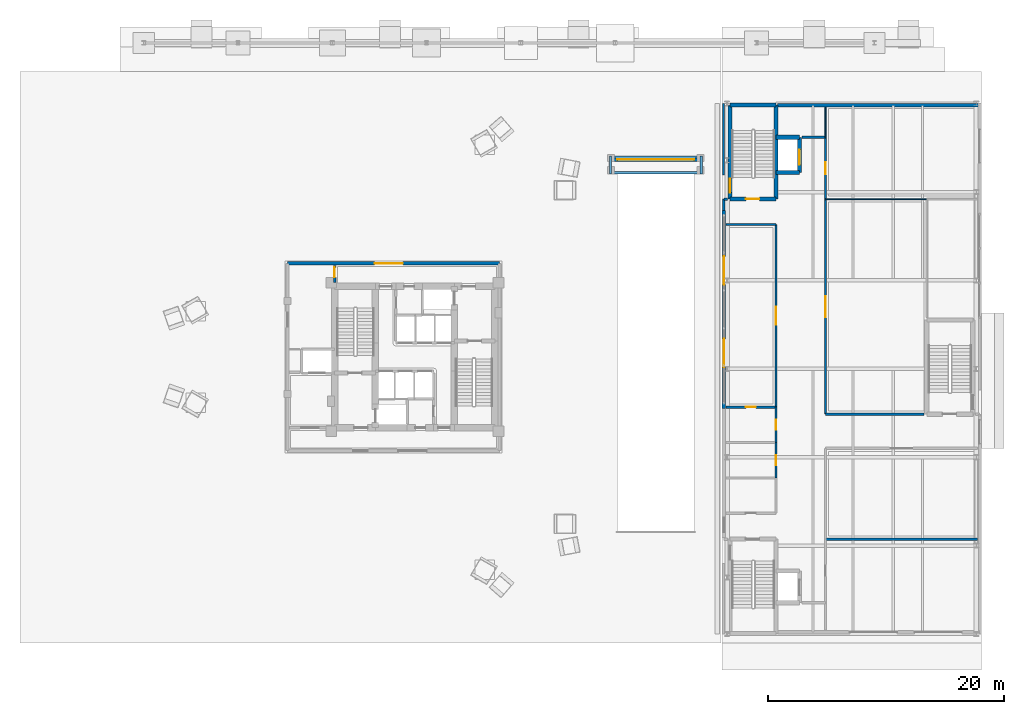
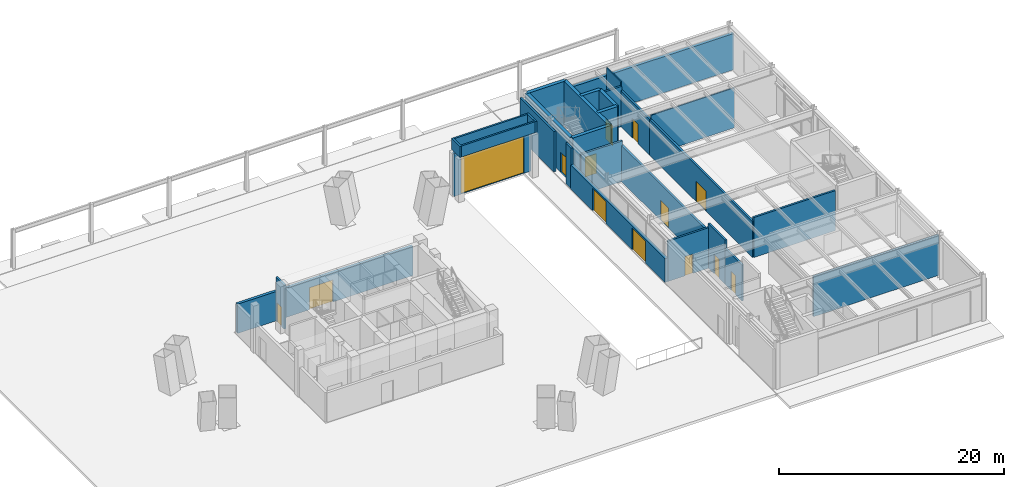
# One storey, part 15 of 21: 31 walls, 14 doors, 14 openings.
"""IFC4 building model written with IfcOpenShell, lengths in metres."""

from ifc_helpers import new_model, si_unit, direction, frame, frame_2d, origin, place, context, subcontext, project, spatial, rectangle, extrude, material, layer, layer_set, type_object, element, fill, save


model = new_model("IFC4")

# Units and contexts
model_context = context("Model", 3, precision=1e-05, world=origin(), true_north=direction((0.0, 1.0)))
body_context = subcontext(model_context, "Body", "Model", "MODEL_VIEW")
ifc_project = project(units=[si_unit("LENGTHUNIT", "METRE"), si_unit("AREAUNIT", "SQUARE_METRE"), si_unit("VOLUMEUNIT", "CUBIC_METRE"), si_unit("PLANEANGLEUNIT", "RADIAN"), si_unit("MASSUNIT", "GRAM", prefix="KILO")], contexts=[model_context])

# Site, building, storey
site_placement = place(None, origin())
site = spatial("IfcSite", under=ifc_project, at=site_placement, CompositionType="ELEMENT")
building_placement = place(site_placement, origin())
building = spatial("IfcBuilding", under=site, at=building_placement, Name="Mersakhor Tower and Convention Hall", CompositionType="ELEMENT")
storey_placement = place(building_placement, origin())
storey = spatial("IfcBuildingStorey", under=building, at=storey_placement, Name="L00", CompositionType="ELEMENT", Elevation=0.0)

# Wall, opening, door
ifc_material_1 = material(Name="Precast concrete C45/55", Category="concrete")
ifc_layer_1 = layer(ifc_material_1, 0.27490234375)
ifc_layer_set_1 = layer_set([ifc_layer_1], Name="Precast concrete C45/55")
wall_type_1 = type_object("IfcWallType", Name="WL-EXT-275", PredefinedType="SOLIDWALL", material=ifc_layer_set_1)
wall_1_placement = place(storey_placement, frame((18.199951171875, 34.699951171875, 0.0), z_axis=(0.0, 0.0, 1.0), x_axis=(1.0, 0.0, 0.0)))
wall_1 = element("IfcWall", 1, at=wall_1_placement, inside=storey, type_object=wall_type_1, Name="Tower Ground Lobby Exterior Wall N", PredefinedType="SOLIDWALL", context=body_context, shape_type="SweptSolid", body=[
    extrude(rectangle(XDim=18.0, YDim=0.27490234375, at=frame_2d((9.0, 0.0))), origin(), (0.0, 0.0, 1.0), 3.18505859375),
])
opening_1_placement = place(wall_1_placement, frame((7.39990234375, 0.0, 0.0)))
opening_1 = element("IfcOpeningElement", 2, at=opening_1_placement, cuts=wall_1, Name="Opening ED-02", PredefinedType="OPENING", context=body_context, shape_type="SweptSolid", body=[
    extrude(rectangle(XDim=2.39990234375, YDim=2.39990234375, at=frame_2d((1.199951171875, 1.199951171875))), frame((0.0, 0.1474609375, 0.0), z_axis=(0.0, -1.0, 0.0), x_axis=(1.0, 0.0, 0.0)), (0.0, 0.0, 1.0), 0.294921875),
])
ifc_material_2 = material(Name="Thermally broken dark aluminium and safety glass", Category="aluminium")
door_type_1 = type_object("IfcDoorType", Name="DR-EXT-DBL-240x240", OperationType="NOTDEFINED", PredefinedType="DOOR", material=ifc_material_2)
door_1_placement = place(opening_1_placement, origin())
door_1 = element("IfcDoor", 3, at=door_1_placement, inside=storey, type_object=door_type_1, Name="Tower North Plaza Final Exit and Entrance Door", OperationType="DOUBLE_DOOR_SINGLE_SWING", OverallHeight=2.39990234375, OverallWidth=2.39990234375, PredefinedType="DOOR", context=body_context, shape_type="SweptSolid", body=[
    extrude(rectangle(XDim=2.39990234375, YDim=2.39990234375, at=frame_2d((1.199951171875, 1.199951171875))), frame((0.0, 0.02490234375, 0.0), z_axis=(0.0, -1.0, 0.0), x_axis=(1.0, 0.0, 0.0)), (0.0, 0.0, 1.0), 0.050048828125),
])
fill(opening_1, door_1)

ifc_material_3 = material(Name="Precast concrete C45/55", Category="concrete")
ifc_layer_2 = layer(ifc_material_3, 0.300048828125)
ifc_layer_set_2 = layer_set([ifc_layer_2], Name="Precast concrete C45/55")
wall_type_2 = type_object("IfcWallType", Name="WL-EXT-300", PredefinedType="SOLIDWALL", material=ifc_layer_set_2)
wall_2_placement = place(storey_placement, frame((45.5, 43.5, 0.0), z_axis=(0.0, 0.0, 1.0), x_axis=(1.0, 0.0, 0.0)))
wall_2 = element("IfcWall", 4, at=wall_2_placement, inside=storey, type_object=wall_type_2, Name="Ground Car Park Ramp Portal Wall", PredefinedType="SOLIDWALL", context=body_context, shape_type="SweptSolid", body=[
    extrude(rectangle(XDim=7.89990234375, YDim=0.300048828125, at=frame_2d((3.949951171875, 0.0))), origin(), (0.0, 0.0, 1.0), 4.64990234375),
])
opening_2_placement = place(wall_2_placement, frame((0.699951171875, 0.0, 0.0)))
opening_2 = element("IfcOpeningElement", 5, at=opening_2_placement, cuts=wall_2, Name="Opening GATE-01", PredefinedType="OPENING", context=body_context, shape_type="SweptSolid", body=[
    extrude(rectangle(XDim=6.5, YDim=4.199951171875, at=frame_2d((3.25, 2.10009765625))), frame((0.0, 0.159912109375, 0.0), z_axis=(0.0, -1.0, 0.0), x_axis=(1.0, 0.0, 0.0)), (0.0, 0.0, 1.0), 0.320068359375),
])
ifc_material_4 = material(Name="Thermally broken dark aluminium and safety glass", Category="aluminium")
door_type_2 = type_object("IfcDoorType", Name="DR-GATE-VEH-650x420", OperationType="NOTDEFINED", PredefinedType="GATE", material=ifc_material_4)
door_2_placement = place(opening_2_placement, origin())
door_2 = element("IfcDoor", 6, at=door_2_placement, inside=storey, type_object=door_type_2, Name="Basement Car Park Vehicle Ramp Shutter Gate GATE-01", OperationType="ROLLINGUP", OverallHeight=4.199951171875, OverallWidth=6.5, PredefinedType="GATE", context=body_context, shape_type="SweptSolid", body=[
    extrude(rectangle(XDim=6.5, YDim=4.199951171875, at=frame_2d((3.25, 2.10009765625))), frame((0.0, 0.02490234375, 0.0), z_axis=(0.0, -1.0, 0.0), x_axis=(1.0, 0.0, 0.0)), (0.0, 0.0, 1.0), 0.050048828125),
])
fill(opening_2, door_2)

# Wall
wall_3_placement = place(storey_placement, frame((59.800048828125, 48.10009765625, 0.0), z_axis=(0.0, 0.0, 1.0), x_axis=(1.0, 0.0, 0.0)))
element("IfcWall", 7, at=wall_3_placement, inside=storey, type_object=wall_type_2, Name="Convention L00 Precast Facade Wall N1", PredefinedType="SOLIDWALL", context=body_context, shape_type="SweptSolid", body=[
    extrude(rectangle(XDim=17.125, YDim=0.300048828125, at=frame_2d((8.5625, 0.0))), origin(), (0.0, 0.0, 1.0), 3.9140625),
])

# Wall, openings, doors
wall_4_placement = place(storey_placement, frame((55.22509765625, 22.39990234375, 0.0), z_axis=(0.0, 0.0, 1.0), x_axis=(0.0, 1.0, 0.0)))
wall_4 = element("IfcWall", 8, at=wall_4_placement, inside=storey, type_object=wall_type_2, Name="Convention Ground Foyer Entrance Portal Wall", PredefinedType="SOLIDWALL", context=body_context, shape_type="SweptSolid", body=[
    extrude(rectangle(XDim=16.800048828125, YDim=0.300048828125, at=frame_2d((8.39990234375, 0.0))), origin(), (0.0, 0.0, 1.0), 2.60009765625),
])
opening_3_placement = place(wall_4_placement, frame((3.5, 0.0, 0.0)))
opening_3 = element("IfcOpeningElement", 9, at=opening_3_placement, cuts=wall_4, Name="Opening ED-02", PredefinedType="OPENING", context=body_context, shape_type="SweptSolid", body=[
    extrude(rectangle(XDim=2.39990234375, YDim=2.39990234375, at=frame_2d((1.199951171875, 1.199951171875))), frame((0.0, 0.159912109375, 0.0), z_axis=(0.0, -1.0, 0.0), x_axis=(1.0, 0.0, 0.0)), (0.0, 0.0, 1.0), 0.320068359375),
])
opening_4_placement = place(wall_4_placement, frame((10.5, 0.0, 0.0)))
opening_4 = element("IfcOpeningElement", 10, at=opening_4_placement, cuts=wall_4, Name="Opening ED-02", PredefinedType="OPENING", context=body_context, shape_type="SweptSolid", body=[
    extrude(rectangle(XDim=2.39990234375, YDim=2.39990234375, at=frame_2d((1.199951171875, 1.199951171875))), frame((0.0, 0.159912109375, 0.0), z_axis=(0.0, -1.0, 0.0), x_axis=(1.0, 0.0, 0.0)), (0.0, 0.0, 1.0), 0.320068359375),
])
door_3_placement = place(opening_3_placement, origin())
door_3 = element("IfcDoor", 11, at=door_3_placement, inside=storey, type_object=door_type_1, Name="Convention Grand Foyer Entrance Door 1", OperationType="DOUBLE_DOOR_SINGLE_SWING", OverallHeight=2.39990234375, OverallWidth=2.39990234375, PredefinedType="DOOR", context=body_context, shape_type="SweptSolid", body=[
    extrude(rectangle(XDim=2.39990234375, YDim=2.39990234375, at=frame_2d((1.199951171875, 1.199951171875))), frame((0.0, 0.02490234375, 0.0), z_axis=(0.0, -1.0, 0.0), x_axis=(1.0, 0.0, 0.0)), (0.0, 0.0, 1.0), 0.050048828125),
])
fill(opening_3, door_3)
door_4_placement = place(opening_4_placement, origin())
door_4 = element("IfcDoor", 12, at=door_4_placement, inside=storey, type_object=door_type_1, Name="Convention Grand Foyer Entrance Door 2", OperationType="DOUBLE_DOOR_SINGLE_SWING", OverallHeight=2.39990234375, OverallWidth=2.39990234375, PredefinedType="DOOR", context=body_context, shape_type="SweptSolid", body=[
    extrude(rectangle(XDim=2.39990234375, YDim=2.39990234375, at=frame_2d((1.199951171875, 1.199951171875))), frame((0.0, 0.02490234375, 0.0), z_axis=(0.0, -1.0, 0.0), x_axis=(1.0, 0.0, 0.0)), (0.0, 0.0, 1.0), 0.050048828125),
])
fill(opening_4, door_4)

# Walls
ifc_material_5 = material(Name="Precast concrete C40/50", Category="concrete")
ifc_layer_3 = layer(ifc_material_5, 0.175048828125)
ifc_layer_set_3 = layer_set([ifc_layer_3], Name="Precast concrete C40/50")
wall_type_3 = type_object("IfcWallType", Name="WL-PAR-175", PredefinedType="PARAPET", material=ifc_layer_set_3)
wall_5_placement = place(storey_placement, frame((45.590087890625, 42.300048828125, 4.860107421875), z_axis=(0.0, 0.0, 1.0), x_axis=(0.0, 1.0, 0.0)))
element("IfcWall", 13, at=wall_5_placement, inside=storey, type_object=wall_type_3, Name="Vehicle Ramp Portal Roof Parapet W", PredefinedType="PARAPET", context=body_context, shape_type="SweptSolid", body=[
    extrude(rectangle(XDim=1.5, YDim=0.175048828125, at=frame_2d((0.75, 0.0))), origin(), (0.0, 0.0, 1.0), 1.199951171875),
])
wall_6_placement = place(storey_placement, frame((45.590087890625, 43.7099609375, 4.860107421875), z_axis=(0.0, 0.0, 1.0), x_axis=(1.0, 0.0, 0.0)))
element("IfcWall", 14, at=wall_6_placement, inside=storey, type_object=wall_type_3, Name="Vehicle Ramp Portal Roof Parapet N", PredefinedType="PARAPET", context=body_context, shape_type="SweptSolid", body=[
    extrude(rectangle(XDim=7.719970703125, YDim=0.175048828125, at=frame_2d((3.85986328125, 0.0))), origin(), (0.0, 0.0, 1.0), 1.199951171875),
])
wall_7_placement = place(storey_placement, frame((53.31005859375, 43.800048828125, 4.860107421875), z_axis=(0.0, 0.0, 1.0), x_axis=(0.0, -1.0, 0.0)))
element("IfcWall", 15, at=wall_7_placement, inside=storey, type_object=wall_type_3, Name="Vehicle Ramp Portal Roof Parapet E", PredefinedType="PARAPET", context=body_context, shape_type="SweptSolid", body=[
    extrude(rectangle(XDim=1.5, YDim=0.175048828125, at=frame_2d((0.75, 0.0))), origin(), (0.0, 0.0, 1.0), 1.199951171875),
])
wall_8_placement = place(storey_placement, frame((53.31005859375, 42.389892578125, 4.860107421875), z_axis=(0.0, 0.0, 1.0), x_axis=(-1.0, 0.0, 0.0)))
element("IfcWall", 16, at=wall_8_placement, inside=storey, type_object=wall_type_3, Name="Vehicle Ramp Portal Roof Parapet S", PredefinedType="PARAPET", context=body_context, shape_type="SweptSolid", body=[
    extrude(rectangle(XDim=7.719970703125, YDim=0.175048828125, at=frame_2d((3.85986328125, 0.0))), origin(), (0.0, 0.0, 1.0), 1.199951171875),
])
ifc_material_6 = material(Name="Precast concrete C40/50", Category="concrete")
ifc_layer_4 = layer(ifc_material_6, 0.199951171875)
ifc_layer_set_4 = layer_set([ifc_layer_4], Name="Precast concrete C40/50")
wall_type_4 = type_object("IfcWallType", Name="WL-PAR-200", PredefinedType="PARAPET", material=ifc_layer_set_4)
wall_9_placement = place(storey_placement, frame((55.195068359375, 42.199951171875, 0.0), z_axis=(0.0, 0.0, 1.0), x_axis=(0.0, 1.0, 0.0)))
element("IfcWall", 17, at=wall_9_placement, inside=storey, type_object=wall_type_4, Name="Convention L00 Stair Core Facade Cladding WC2", PredefinedType="PARAPET", context=body_context, shape_type="SweptSolid", body=[
    extrude(rectangle(XDim=6.050048828125, YDim=0.199951171875, at=frame_2d((3.02490234375, 0.0))), origin(), (0.0, 0.0, 1.0), 4.389892578125),
])
ifc_material_7 = material(Name="Lightweight gypsum partition", Category="other")
ifc_layer_5 = layer(ifc_material_7, 0.10009765625)
ifc_layer_set_5 = layer_set([ifc_layer_5], Name="Lightweight gypsum partition")
wall_type_5 = type_object("IfcWallType", Name="WL-PRT-100", PredefinedType="PARTITIONING", material=ifc_layer_set_5)
wall_10_placement = place(storey_placement, frame((63.85009765625, 40.14990234375, 0.0), z_axis=(0.0, 0.0, 1.0), x_axis=(1.0, 0.0, 0.0)))
element("IfcWall", 18, at=wall_10_placement, inside=storey, type_object=wall_type_5, Name="L00 Interior Partition Wall P-044", PredefinedType="PARTITIONING", context=body_context, shape_type="SweptSolid", body=[
    extrude(rectangle(XDim=8.599853515625, YDim=0.10009765625, at=frame_2d((4.2998046875, 0.0))), origin(), (0.0, 0.0, 1.0), 4.355712890625),
])
wall_11_placement = place(storey_placement, frame((63.85009765625, 45.39990234375, 0.0), z_axis=(0.0, 0.0, 1.0), x_axis=(0.0, 1.0, 0.0)))
element("IfcWall", 19, at=wall_11_placement, inside=storey, type_object=wall_type_5, Name="L00 Interior Partition Wall P-048", PredefinedType="PARTITIONING", context=body_context, shape_type="SweptSolid", body=[
    extrude(rectangle(XDim=2.526123046875, YDim=0.10009765625, at=frame_2d((1.26318359375, 0.0))), origin(), (0.0, 0.0, 1.0), 4.800048828125),
])

# Wall, opening, door
ifc_material_8 = material(Name="Acoustic concrete blockwork and gypsum board", Category="masonry")
ifc_layer_6 = layer(ifc_material_8, 0.199951171875)
ifc_layer_set_6 = layer_set([ifc_layer_6], Name="Acoustic concrete blockwork and gypsum board")
wall_type_6 = type_object("IfcWallType", Name="WL-PRT-200", PredefinedType="PARTITIONING", material=ifc_layer_set_6)
wall_12_placement = place(storey_placement, frame((59.64990234375, 16.5, 0.0), z_axis=(0.0, 0.0, 1.0), x_axis=(0.0, 1.0, 0.0)))
wall_12 = element("IfcWall", 20, at=wall_12_placement, inside=storey, type_object=wall_type_6, Name="L00 Interior Partition Wall P-022", PredefinedType="PARTITIONING", context=body_context, shape_type="SweptSolid", body=[
    extrude(rectangle(XDim=3.0, YDim=0.199951171875, at=frame_2d((1.5, 0.0))), origin(), (0.0, 0.0, 1.0), 3.9140625),
])
opening_5_placement = place(wall_12_placement, frame((1.074951171875, 0.0, 0.0)))
opening_5 = element("IfcOpeningElement", 21, at=opening_5_placement, cuts=wall_12, Name="Opening SVD-01", PredefinedType="OPENING", context=body_context, shape_type="SweptSolid", body=[
    extrude(rectangle(XDim=0.85009765625, YDim=2.10009765625, at=frame_2d((0.425048828125, 1.050048828125))), frame((0.0, 0.10986328125, 0.0), z_axis=(0.0, -1.0, 0.0), x_axis=(1.0, 0.0, 0.0)), (0.0, 0.0, 1.0), 0.219970703125),
])
ifc_material_9 = material(Name="Fire-rated hardwood leaf and painted steel frame", Category="steel")
door_type_3 = type_object("IfcDoorType", Name="DR-INT-SVC-085x210", OperationType="NOTDEFINED", PredefinedType="DOOR", material=ifc_material_9)
door_5_placement = place(opening_5_placement, origin())
door_5 = element("IfcDoor", 22, at=door_5_placement, inside=storey, type_object=door_type_3, Name="L00 Convention Hall Concourse Corridor to Convention Public Female Toilets Door", OperationType="SINGLE_SWING_LEFT", OverallHeight=2.10009765625, OverallWidth=0.85009765625, PredefinedType="DOOR", context=body_context, shape_type="SweptSolid", body=[
    extrude(rectangle(XDim=0.85009765625, YDim=2.10009765625, at=frame_2d((0.425048828125, 1.050048828125))), frame((0.0, 0.02490234375, 0.0), z_axis=(0.0, -1.0, 0.0), x_axis=(1.0, 0.0, 0.0)), (0.0, 0.0, 1.0), 0.050048828125),
])
fill(opening_5, door_5)

wall_13_placement = place(storey_placement, frame((59.64990234375, 19.5, 0.0), z_axis=(0.0, 0.0, 1.0), x_axis=(0.0, 1.0, 0.0)))
wall_13 = element("IfcWall", 23, at=wall_13_placement, inside=storey, type_object=wall_type_6, Name="L00 Interior Partition Wall P-023", PredefinedType="PARTITIONING", context=body_context, shape_type="SweptSolid", body=[
    extrude(rectangle(XDim=3.0, YDim=0.199951171875, at=frame_2d((1.5, 0.0))), origin(), (0.0, 0.0, 1.0), 4.800048828125),
])
opening_6_placement = place(wall_13_placement, frame((1.074951171875, 0.0, 0.0)))
opening_6 = element("IfcOpeningElement", 24, at=opening_6_placement, cuts=wall_13, Name="Opening SVD-01", PredefinedType="OPENING", context=body_context, shape_type="SweptSolid", body=[
    extrude(rectangle(XDim=0.85009765625, YDim=2.10009765625, at=frame_2d((0.425048828125, 1.050048828125))), frame((0.0, 0.10986328125, 0.0), z_axis=(0.0, -1.0, 0.0), x_axis=(1.0, 0.0, 0.0)), (0.0, 0.0, 1.0), 0.219970703125),
])
door_6_placement = place(opening_6_placement, origin())
door_6 = element("IfcDoor", 25, at=door_6_placement, inside=storey, type_object=door_type_3, Name="L00 Convention Hall Concourse Corridor to Convention Accessible Toilet WC Door", OperationType="SINGLE_SWING_RIGHT", OverallHeight=2.10009765625, OverallWidth=0.85009765625, PredefinedType="DOOR", context=body_context, shape_type="SweptSolid", body=[
    extrude(rectangle(XDim=0.85009765625, YDim=2.10009765625, at=frame_2d((0.425048828125, 1.050048828125))), frame((0.0, 0.02490234375, 0.0), z_axis=(0.0, -1.0, 0.0), x_axis=(1.0, 0.0, 0.0)), (0.0, 0.0, 1.0), 0.050048828125),
])
fill(opening_6, door_6)

wall_14_placement = place(storey_placement, frame((59.64990234375, 22.5, 0.0), z_axis=(0.0, 0.0, 1.0), x_axis=(0.0, 1.0, 0.0)))
wall_14 = element("IfcWall", 26, at=wall_14_placement, inside=storey, type_object=wall_type_6, Name="L00 Interior Partition Wall P-024", PredefinedType="PARTITIONING", context=body_context, shape_type="SweptSolid", body=[
    extrude(rectangle(XDim=15.5, YDim=0.199951171875, at=frame_2d((7.75, 0.0))), origin(), (0.0, 0.0, 1.0), 3.9140625),
])
opening_7_placement = place(wall_14_placement, frame((7.0, 0.0, 0.0)))
opening_7 = element("IfcOpeningElement", 27, at=opening_7_placement, cuts=wall_14, Name="Opening LD-LOB", PredefinedType="OPENING", context=body_context, shape_type="SweptSolid", body=[
    extrude(rectangle(XDim=1.5, YDim=2.199951171875, at=frame_2d((0.75, 1.10009765625))), frame((0.0, 0.10986328125, 0.0), z_axis=(0.0, -1.0, 0.0), x_axis=(1.0, 0.0, 0.0)), (0.0, 0.0, 1.0), 0.219970703125),
])
ifc_material_10 = material(Name="Fire-rated hardwood leaf and painted steel frame", Category="steel")
door_type_4 = type_object("IfcDoorType", Name="DR-INT-LOB-150x220", OperationType="NOTDEFINED", PredefinedType="DOOR", material=ifc_material_10)
door_7_placement = place(opening_7_placement, origin())
door_7 = element("IfcDoor", 28, at=door_7_placement, inside=storey, type_object=door_type_4, Name="L00 Convention Hall Concourse Corridor to Convention Grand Entrance Foyer Door", OperationType="DOUBLE_DOOR_SINGLE_SWING", OverallHeight=2.199951171875, OverallWidth=1.5, PredefinedType="DOOR", context=body_context, shape_type="SweptSolid", body=[
    extrude(rectangle(XDim=1.5, YDim=2.199951171875, at=frame_2d((0.75, 1.10009765625))), frame((0.0, 0.02490234375, 0.0), z_axis=(0.0, -1.0, 0.0), x_axis=(1.0, 0.0, 0.0)), (0.0, 0.0, 1.0), 0.050048828125),
])
fill(opening_7, door_7)

# Walls
wall_15_placement = place(storey_placement, frame((59.64990234375, 38.0, 0.0), z_axis=(0.0, 0.0, 1.0), x_axis=(-1.0, 0.0, 0.0)))
element("IfcWall", 29, at=wall_15_placement, inside=storey, type_object=wall_type_6, Name="L00 Interior Partition Wall P-025", PredefinedType="PARTITIONING", context=body_context, shape_type="SweptSolid", body=[
    extrude(rectangle(XDim=4.2509765625, YDim=0.199951171875, at=frame_2d((2.12548828125, 0.0))), origin(), (0.0, 0.0, 1.0), 4.389892578125),
])
wall_16_placement = place(storey_placement, frame((55.22509765625, 39.199951171875, 0.0), z_axis=(0.0, 0.0, 1.0), x_axis=(0.0, 1.0, 0.0)))
element("IfcWall", 30, at=wall_16_placement, inside=storey, type_object=wall_type_6, Name="L00 Interior Partition Wall P-026", PredefinedType="PARTITIONING", context=body_context, shape_type="SweptSolid", body=[
    extrude(rectangle(XDim=0.949951171875, YDim=0.199951171875, at=frame_2d((0.47509765625, 0.0))), origin(), (0.0, 0.0, 1.0), 4.389892578125),
])
wall_17_placement = place(storey_placement, frame((55.2548828125, 40.14990234375, 0.0), z_axis=(0.0, 0.0, 1.0), x_axis=(1.0, 0.0, 0.0)))
element("IfcWall", 31, at=wall_17_placement, inside=storey, type_object=wall_type_6, Name="L00 Interior Partition Wall P-027", PredefinedType="PARTITIONING", context=body_context, shape_type="SweptSolid", body=[
    extrude(rectangle(XDim=0.27001953125, YDim=0.199951171875, at=frame_2d((0.135009765625, 0.0))), origin(), (0.0, 0.0, 1.0), 4.389892578125),
])
wall_18_placement = place(storey_placement, frame((61.875, 45.39990234375, 0.0), z_axis=(0.0, 0.0, 1.0), x_axis=(1.0, 0.0, 0.0)))
element("IfcWall", 32, at=wall_18_placement, inside=storey, type_object=wall_type_6, Name="L00 Interior Partition Wall P-028", PredefinedType="PARTITIONING", context=body_context, shape_type="SweptSolid", body=[
    extrude(rectangle(XDim=1.97509765625, YDim=0.199951171875, at=frame_2d((0.987548828125, 0.0))), origin(), (0.0, 0.0, 1.0), 4.355712890625),
])

# Wall, opening, door
wall_19_placement = place(storey_placement, frame((63.85009765625, 45.39990234375, 0.0), z_axis=(0.0, 0.0, 1.0), x_axis=(0.0, -1.0, 0.0)))
wall_19 = element("IfcWall", 33, at=wall_19_placement, inside=storey, type_object=wall_type_6, Name="L00 Interior Partition Wall P-029", PredefinedType="PARTITIONING", context=body_context, shape_type="SweptSolid", body=[
    extrude(rectangle(XDim=5.25, YDim=0.199951171875, at=frame_2d((2.625, 0.0))), origin(), (0.0, 0.0, 1.0), 3.9140625),
])
opening_8_placement = place(wall_19_placement, frame((2.125, 0.0, 0.0)))
opening_8 = element("IfcOpeningElement", 34, at=opening_8_placement, cuts=wall_19, Name="Opening FD-01", PredefinedType="OPENING", context=body_context, shape_type="SweptSolid", body=[
    extrude(rectangle(XDim=1.0, YDim=2.14990234375, at=frame_2d((0.5, 1.074951171875))), frame((0.0, 0.10986328125, 0.0), z_axis=(0.0, -1.0, 0.0), x_axis=(1.0, 0.0, 0.0)), (0.0, 0.0, 1.0), 0.219970703125),
])
ifc_material_11 = material(Name="Fire-rated hardwood leaf and painted steel frame", Category="steel")
door_type_5 = type_object("IfcDoorType", Name="DR-INT-FLT-100x215", OperationType="NOTDEFINED", PredefinedType="DOOR", material=ifc_material_11)
door_8_placement = place(opening_8_placement, origin())
door_8 = element("IfcDoor", 35, at=door_8_placement, inside=storey, type_object=door_type_5, Name="L00 Convention Hall Concourse Corridor to Delegate Registration and Media Suite Door", OperationType="SINGLE_SWING_LEFT", OverallHeight=2.14990234375, OverallWidth=1.0, PredefinedType="DOOR", context=body_context, shape_type="SweptSolid", body=[
    extrude(rectangle(XDim=1.0, YDim=2.14990234375, at=frame_2d((0.5, 1.074951171875))), frame((0.0, 0.02490234375, 0.0), z_axis=(0.0, -1.0, 0.0), x_axis=(1.0, 0.0, 0.0)), (0.0, 0.0, 1.0), 0.050048828125),
])
fill(opening_8, door_8)

wall_20_placement = place(storey_placement, frame((63.85009765625, 40.14990234375, 0.0), z_axis=(0.0, 0.0, 1.0), x_axis=(0.0, -1.0, 0.0)))
wall_20 = element("IfcWall", 36, at=wall_20_placement, inside=storey, type_object=wall_type_6, Name="L00 Interior Partition Wall P-030", PredefinedType="PARTITIONING", context=body_context, shape_type="SweptSolid", body=[
    extrude(rectangle(XDim=18.25, YDim=0.199951171875, at=frame_2d((9.125, 0.0))), origin(), (0.0, 0.0, 1.0), 3.9140625),
])
opening_9_placement = place(wall_20_placement, frame((8.22509765625, 0.0, 0.0)))
opening_9 = element("IfcOpeningElement", 37, at=opening_9_placement, cuts=wall_20, Name="Opening HD-01", PredefinedType="OPENING", context=body_context, shape_type="SweptSolid", body=[
    extrude(rectangle(XDim=1.800048828125, YDim=2.199951171875, at=frame_2d((0.89990234375, 1.10009765625))), frame((0.0, 0.10986328125, 0.0), z_axis=(0.0, -1.0, 0.0), x_axis=(1.0, 0.0, 0.0)), (0.0, 0.0, 1.0), 0.219970703125),
])
ifc_material_12 = material(Name="Fire-rated hardwood leaf and painted steel frame", Category="steel")
door_type_6 = type_object("IfcDoorType", Name="DR-INT-HALL-180x220", OperationType="NOTDEFINED", PredefinedType="DOOR", material=ifc_material_12)
door_9_placement = place(opening_9_placement, origin())
door_9 = element("IfcDoor", 38, at=door_9_placement, inside=storey, type_object=door_type_6, Name="L00 Convention Hall Concourse Corridor to Main Column-Free Exhibition Hall Door", OperationType="DOUBLE_DOOR_SINGLE_SWING", OverallHeight=2.199951171875, OverallWidth=1.800048828125, PredefinedType="DOOR", context=body_context, shape_type="SweptSolid", body=[
    extrude(rectangle(XDim=1.800048828125, YDim=2.199951171875, at=frame_2d((0.89990234375, 1.10009765625))), frame((0.0, 0.02490234375, 0.0), z_axis=(0.0, -1.0, 0.0), x_axis=(1.0, 0.0, 0.0)), (0.0, 0.0, 1.0), 0.050048828125),
])
fill(opening_9, door_9)

# Wall
wall_21_placement = place(storey_placement, frame((63.85009765625, 21.89990234375, 0.0), z_axis=(0.0, 0.0, 1.0), x_axis=(1.0, 0.0, 0.0)))
element("IfcWall", 39, at=wall_21_placement, inside=storey, type_object=wall_type_6, Name="L00 Interior Partition Wall P-031", PredefinedType="PARTITIONING", context=body_context, shape_type="SweptSolid", body=[
    extrude(rectangle(XDim=8.375, YDim=0.199951171875, at=frame_2d((4.1875, 0.0))), origin(), (0.0, 0.0, 1.0), 4.355712890625),
])

# Wall, opening, door
wall_22_placement = place(storey_placement, frame((22.199951171875, 33.074951171875, 0.0), z_axis=(0.0, 0.0, 1.0), x_axis=(0.0, 1.0, 0.0)))
wall_22 = element("IfcWall", 40, at=wall_22_placement, inside=storey, type_object=wall_type_6, Name="L00 Interior Partition Wall P-038", PredefinedType="PARTITIONING", context=body_context, shape_type="SweptSolid", body=[
    extrude(rectangle(XDim=1.463623046875, YDim=0.199951171875, at=frame_2d((0.73193359375, 0.0))), origin(), (0.0, 0.0, 1.0), 4.800048828125),
])
opening_10_placement = place(wall_22_placement, frame((0.44287109375, 0.0, 0.0)))
opening_10 = element("IfcOpeningElement", 41, at=opening_10_placement, cuts=wall_22, Name="Opening SVD-01", PredefinedType="OPENING", context=body_context, shape_type="SweptSolid", body=[
    extrude(rectangle(XDim=0.85009765625, YDim=2.10009765625, at=frame_2d((0.425048828125, 1.050048828125))), frame((0.0, 0.10986328125, 0.0), z_axis=(0.0, -1.0, 0.0), x_axis=(1.0, 0.0, 0.0)), (0.0, 0.0, 1.0), 0.219970703125),
])
door_10_placement = place(opening_10_placement, origin())
door_10 = element("IfcDoor", 42, at=door_10_placement, inside=storey, type_object=door_type_3, Name="L00 Tower North Plaza Entrance Vestibule to Fire Command and Control Room Door", OperationType="SINGLE_SWING_LEFT", OverallHeight=2.10009765625, OverallWidth=0.85009765625, PredefinedType="DOOR", context=body_context, shape_type="SweptSolid", body=[
    extrude(rectangle(XDim=0.85009765625, YDim=2.10009765625, at=frame_2d((0.425048828125, 1.050048828125))), frame((0.0, 0.02490234375, 0.0), z_axis=(0.0, -1.0, 0.0), x_axis=(1.0, 0.0, 0.0)), (0.0, 0.0, 1.0), 0.050048828125),
])
fill(opening_10, door_10)

wall_23_placement = place(storey_placement, frame((55.39892578125, 22.5, 0.0), z_axis=(0.0, 0.0, 1.0), x_axis=(1.0, 0.0, 0.0)))
wall_23 = element("IfcWall", 43, at=wall_23_placement, inside=storey, type_object=wall_type_6, Name="L00 Interior Partition Wall P-043", PredefinedType="PARTITIONING", context=body_context, shape_type="SweptSolid", body=[
    extrude(rectangle(XDim=4.2509765625, YDim=0.199951171875, at=frame_2d((2.12548828125, 0.0))), origin(), (0.0, 0.0, 1.0), 4.389892578125),
])
opening_11_placement = place(wall_23_placement, frame((1.700439453125, 0.0, 0.0)))
opening_11 = element("IfcOpeningElement", 44, at=opening_11_placement, cuts=wall_23, Name="Opening SVD-01", PredefinedType="OPENING", context=body_context, shape_type="SweptSolid", body=[
    extrude(rectangle(XDim=0.85009765625, YDim=2.10009765625, at=frame_2d((0.425048828125, 1.050048828125))), frame((0.0, 0.10986328125, 0.0), z_axis=(0.0, -1.0, 0.0), x_axis=(1.0, 0.0, 0.0)), (0.0, 0.0, 1.0), 0.219970703125),
])
door_11_placement = place(opening_11_placement, origin())
door_11 = element("IfcDoor", 45, at=door_11_placement, inside=storey, type_object=door_type_3, Name="L00 Convention Accessible Toilet WC to Convention Grand Entrance Foyer Door", OperationType="SINGLE_SWING_LEFT", OverallHeight=2.10009765625, OverallWidth=0.85009765625, PredefinedType="DOOR", context=body_context, shape_type="SweptSolid", body=[
    extrude(rectangle(XDim=0.85009765625, YDim=2.10009765625, at=frame_2d((0.425048828125, 1.050048828125))), frame((0.0, 0.02490234375, 0.0), z_axis=(0.0, -1.0, 0.0), x_axis=(1.0, 0.0, 0.0)), (0.0, 0.0, 1.0), 0.050048828125),
])
fill(opening_11, door_11)

# Wall
wall_24_placement = place(storey_placement, frame((76.7509765625, 11.300048828125, 0.0), z_axis=(0.0, 0.0, 1.0), x_axis=(-1.0, 0.0, 0.0)))
element("IfcWall", 46, at=wall_24_placement, inside=storey, type_object=wall_type_6, Name="L00 Interior Partition Wall P-046", PredefinedType="PARTITIONING", context=body_context, shape_type="SweptSolid", body=[
    extrude(rectangle(XDim=12.90087890625, YDim=0.199951171875, at=frame_2d((6.450439453125, 0.0))), origin(), (0.0, 0.0, 1.0), 4.355712890625),
])

# Wall, opening, door
ifc_material_13 = material(Name="Concrete C50/60", Category="concrete")
ifc_layer_7 = layer(ifc_material_13, 0.35009765625)
ifc_layer_set_7 = layer_set([ifc_layer_7], Name="Concrete C50/60")
wall_type_7 = type_object("IfcWallType", Name="WL-SHR-350", PredefinedType="SHEAR", material=ifc_layer_set_7)
wall_25_placement = place(storey_placement, frame((61.64990234375, 42.39990234375, 0.0), z_axis=(0.0, 0.0, 1.0), x_axis=(0.0, 1.0, 0.0)))
wall_25 = element("IfcWall", 47, at=wall_25_placement, inside=storey, type_object=wall_type_7, Name="L00 CVL2 Shaft Front Wall", PredefinedType="SHEAR", context=body_context, shape_type="SweptSolid", body=[
    extrude(rectangle(XDim=3.0, YDim=0.35009765625, at=frame_2d((1.5, 0.0))), origin(), (0.0, 0.0, 1.0), 4.800048828125),
])
opening_12_placement = place(wall_25_placement, frame((0.64990234375, 0.0, 0.0)))
opening_12 = element("IfcOpeningElement", 48, at=opening_12_placement, cuts=wall_25, Name="Opening LD-CVL2", PredefinedType="OPENING", context=body_context, shape_type="SweptSolid", body=[
    extrude(rectangle(XDim=1.300048828125, YDim=2.199951171875, at=frame_2d((0.64990234375, 1.10009765625))), frame((0.0, 0.18505859375, 0.0), z_axis=(0.0, -1.0, 0.0), x_axis=(1.0, 0.0, 0.0)), (0.0, 0.0, 1.0), 0.3701171875),
])
ifc_material_14 = material(Name="Fire-rated brushed stainless steel sliding landing door", Category="steel")
door_type_7 = type_object("IfcDoorType", Name="DR-LIFT-SLD-130x220", OperationType="NOTDEFINED", PredefinedType="DOOR", material=ifc_material_14)
door_12_placement = place(opening_12_placement, origin())
door_12 = element("IfcDoor", 49, at=door_12_placement, inside=storey, type_object=door_type_7, Name="L00 Convention Lift Landing Door LD-CVL2", OperationType="SLIDING_TO_LEFT", OverallHeight=2.199951171875, OverallWidth=1.300048828125, PredefinedType="DOOR", context=body_context, shape_type="SweptSolid", body=[
    extrude(rectangle(XDim=1.300048828125, YDim=2.199951171875, at=frame_2d((0.64990234375, 1.10009765625))), frame((0.0, 0.02490234375, 0.0), z_axis=(0.0, -1.0, 0.0), x_axis=(1.0, 0.0, 0.0)), (0.0, 0.0, 1.0), 0.050048828125),
])
fill(opening_12, door_12)

# Walls
for number, where, z_axis, x_axis, name in (
    (50, (59.64990234375, 45.39990234375, 0.0), (0.0, 0.0, 1.0), (1.0, 0.0, 0.0), "L00 CVL2 Shaft North Wall"),
    (51, (59.64990234375, 42.39990234375, 0.0), (0.0, 0.0, 1.0), (1.0, 0.0, 0.0), "L00 CVL2 Shaft South Wall"),
):
    element("IfcWall", number, at=place(storey_placement, frame(where, z_axis=z_axis, x_axis=x_axis)), inside=storey, type_object=wall_type_7, Name=name, PredefinedType="SHEAR", context=body_context, shape_type="SweptSolid", body=[
        extrude(rectangle(XDim=2.0, YDim=0.35009765625, at=frame_2d((1.0, 0.0))), origin(), (0.0, 0.0, 1.0), 4.800048828125),
    ])
wall_26_placement = place(storey_placement, frame((59.64990234375, 48.14990234375, 0.0), z_axis=(0.0, 0.0, 1.0), x_axis=(0.0, -1.0, 0.0)))
element("IfcWall", 52, at=wall_26_placement, inside=storey, type_object=wall_type_7, Name="L00 CHST2 East Shear Wall", PredefinedType="SHEAR", context=body_context, shape_type="SweptSolid", body=[
    extrude(rectangle(XDim=8.0, YDim=0.35009765625, at=frame_2d((4.0, 0.0))), origin(), (0.0, 0.0, 1.0), 4.800048828125),
])

# Wall, opening, door
wall_27_placement = place(storey_placement, frame((55.75, 40.14990234375, 0.0), z_axis=(0.0, 0.0, 1.0), x_axis=(0.0, 1.0, 0.0)))
wall_27 = element("IfcWall", 53, at=wall_27_placement, inside=storey, type_object=wall_type_7, Name="L00 CHST2 West Shear Wall", PredefinedType="SHEAR", context=body_context, shape_type="SweptSolid", body=[
    extrude(rectangle(XDim=8.0, YDim=0.35009765625, at=frame_2d((4.0, 0.0))), origin(), (0.0, 0.0, 1.0), 4.800048828125),
])
opening_13_placement = place(wall_27_placement, frame((0.550048828125, 0.0, 0.0)))
opening_13 = element("IfcOpeningElement", 54, at=opening_13_placement, cuts=wall_27, Name="Opening EX-01", PredefinedType="OPENING", context=body_context, shape_type="SweptSolid", body=[
    extrude(rectangle(XDim=1.199951171875, YDim=2.199951171875, at=frame_2d((0.60009765625, 1.10009765625))), frame((0.0, 0.18505859375, 0.0), z_axis=(0.0, -1.0, 0.0), x_axis=(1.0, 0.0, 0.0)), (0.0, 0.0, 1.0), 0.3701171875),
])
ifc_material_15 = material(Name="Thermally broken dark aluminium and safety glass", Category="aluminium")
door_type_8 = type_object("IfcDoorType", Name="DR-EXT-EXIT-120x220", OperationType="NOTDEFINED", PredefinedType="DOOR", material=ifc_material_15)
door_13_placement = place(opening_13_placement, origin())
door_13 = element("IfcDoor", 55, at=door_13_placement, inside=storey, type_object=door_type_8, Name="Convention Stair CH-ST2 Direct Exterior Final Exit Door", OperationType="SINGLE_SWING_RIGHT", OverallHeight=2.199951171875, OverallWidth=1.199951171875, PredefinedType="DOOR", context=body_context, shape_type="SweptSolid", body=[
    extrude(rectangle(XDim=1.199951171875, YDim=2.199951171875, at=frame_2d((0.60009765625, 1.10009765625))), frame((0.0, 0.02490234375, 0.0), z_axis=(0.0, -1.0, 0.0), x_axis=(1.0, 0.0, 0.0)), (0.0, 0.0, 1.0), 0.050048828125),
])
fill(opening_13, door_13)

# Wall
wall_28_placement = place(storey_placement, frame((55.75, 48.14990234375, 0.0), z_axis=(0.0, 0.0, 1.0), x_axis=(1.0, 0.0, 0.0)))
element("IfcWall", 56, at=wall_28_placement, inside=storey, type_object=wall_type_7, Name="L00 CHST2 North Shear Wall", PredefinedType="SHEAR", context=body_context, shape_type="SweptSolid", body=[
    extrude(rectangle(XDim=3.89990234375, YDim=0.35009765625, at=frame_2d((1.949951171875, 0.0))), origin(), (0.0, 0.0, 1.0), 4.800048828125),
])

# Wall, opening, door
wall_29_placement = place(storey_placement, frame((55.75, 40.14990234375, 0.0), z_axis=(0.0, 0.0, 1.0), x_axis=(1.0, 0.0, 0.0)))
wall_29 = element("IfcWall", 57, at=wall_29_placement, inside=storey, type_object=wall_type_7, Name="L00 CHST2 South Shear Wall", PredefinedType="SHEAR", context=body_context, shape_type="SweptSolid", body=[
    extrude(rectangle(XDim=3.89990234375, YDim=0.35009765625, at=frame_2d((1.949951171875, 0.0))), origin(), (0.0, 0.0, 1.0), 4.800048828125),
])
opening_14_placement = place(wall_29_placement, frame((1.35009765625, 0.0, 0.0)))
opening_14 = element("IfcOpeningElement", 58, at=opening_14_placement, cuts=wall_29, Name="Opening SD-01", PredefinedType="OPENING", context=body_context, shape_type="SweptSolid", body=[
    extrude(rectangle(XDim=1.14990234375, YDim=2.14990234375, at=frame_2d((0.574951171875, 1.074951171875))), frame((0.0, 0.18505859375, 0.0), z_axis=(0.0, -1.0, 0.0), x_axis=(1.0, 0.0, 0.0)), (0.0, 0.0, 1.0), 0.3701171875),
])
ifc_material_16 = material(Name="Fire-rated hardwood leaf and painted steel frame", Category="steel")
door_type_9 = type_object("IfcDoorType", Name="DR-INT-STAIR-115x215", OperationType="NOTDEFINED", PredefinedType="DOOR", material=ifc_material_16)
door_14_placement = place(opening_14_placement, origin())
door_14 = element("IfcDoor", 59, at=door_14_placement, inside=storey, type_object=door_type_9, Name="L00 Convention Stair CH-ST2 Door", OperationType="SINGLE_SWING_RIGHT", OverallHeight=2.14990234375, OverallWidth=1.14990234375, PredefinedType="DOOR", context=body_context, shape_type="SweptSolid", body=[
    extrude(rectangle(XDim=1.14990234375, YDim=2.14990234375, at=frame_2d((0.574951171875, 1.074951171875))), frame((0.0, 0.02490234375, 0.0), z_axis=(0.0, -1.0, 0.0), x_axis=(1.0, 0.0, 0.0)), (0.0, 0.0, 1.0), 0.050048828125),
])
fill(opening_14, door_14)

save(model, "model.ifc")
